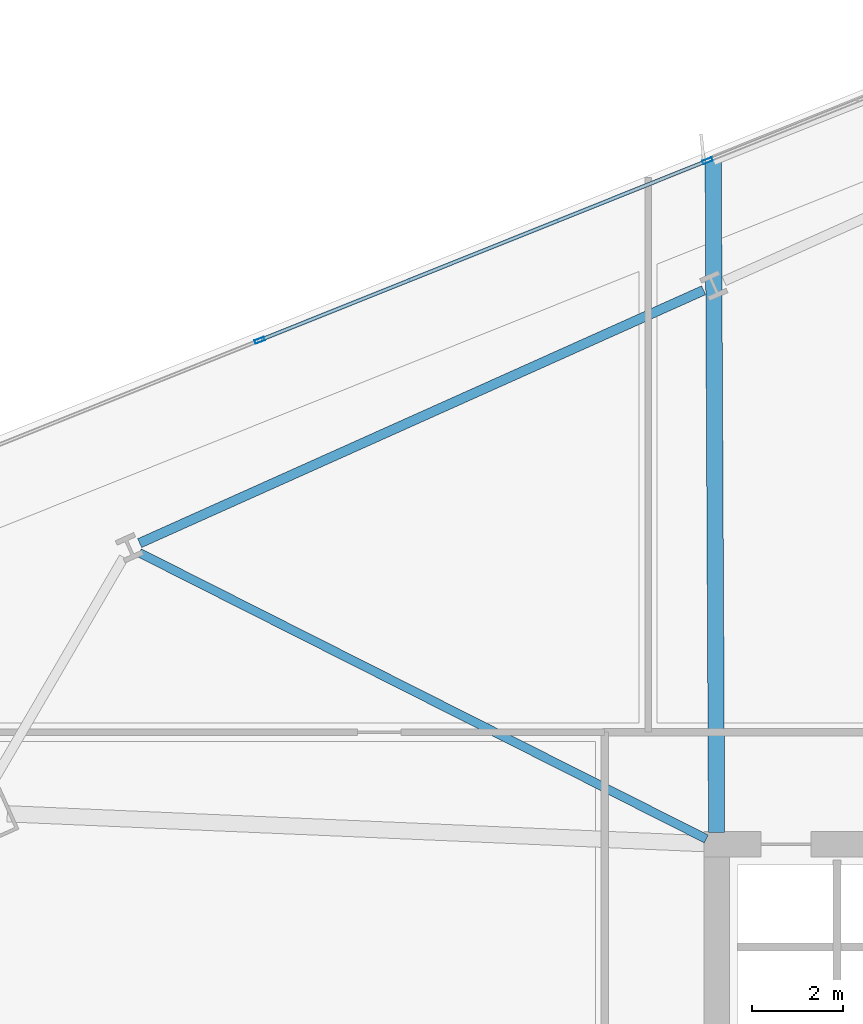
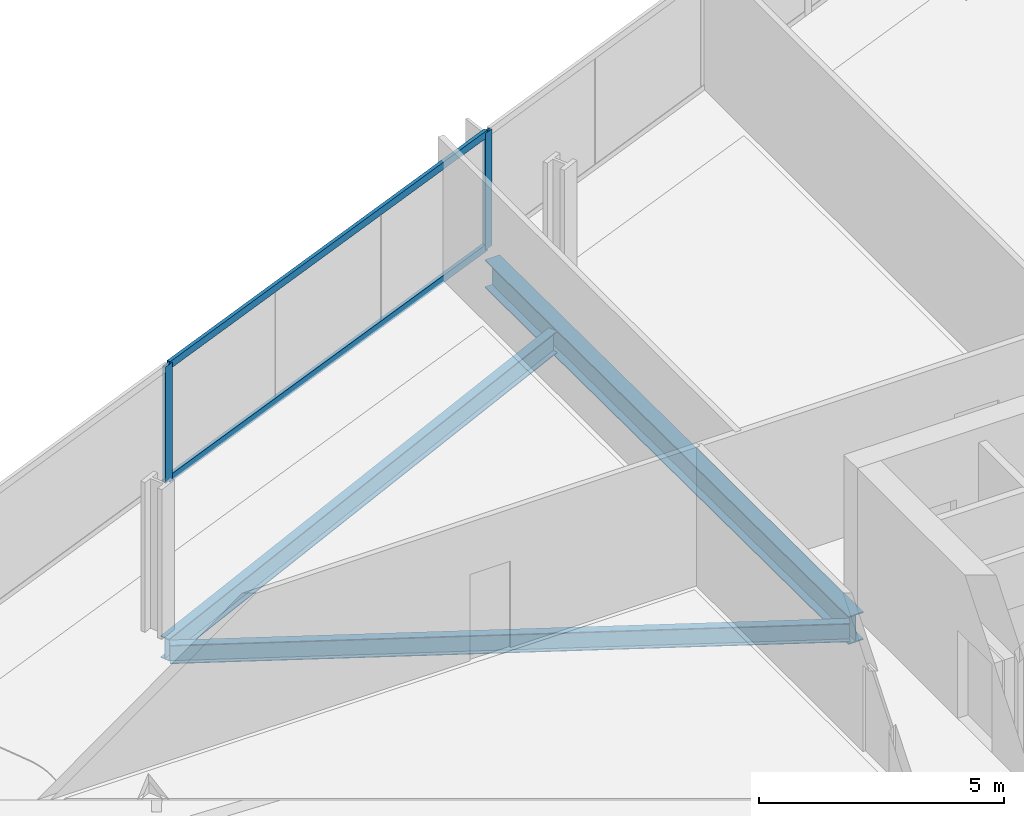
# One storey, part 17 of 33: 4 members, 3 beams, 1 element without a shape of its own.
"""IFC4 building model written with IfcOpenShell, lengths in metres."""

import ifcopenshell
import ifcopenshell.guid

model = None  # the IFC model being written
_history = None  # IfcOwnerHistory: only IFC2X3 demands one
_inside = {}  # id of a spatial element -> (the spatial element, [elements in it])
_under = {}  # id of a project, library or spatial element -> (it, [spatial elements below it])
_declared = {}  # id of a project -> (the project, [libraries it declares])
_typed = {}  # id of a type object -> (the type object, [elements of that type])
_made_of = {}  # id of a material, layer set ... -> (it, [elements and type objects made of it])


def new_model(schema):
    """Start an empty IFC model of exactly this schema.

    Asked for "IFC4X3", IfcOpenShell would pick the latest addendum, in which some entities
    have other attributes; the version numbers below select the first issue.
    IFC2X3 requires an IfcOwnerHistory on every rooted entity: one is made here for all.
    """
    global model, _history
    if schema == "IFC4X3":
        model = ifcopenshell.file(schema_version=(4, 3, 0, 0))
    else:
        model = ifcopenshell.file(schema=schema)
    _inside.clear()
    _under.clear()
    _declared.clear()
    _typed.clear()
    _made_of.clear()
    _history = None
    if model.schema == "IFC2X3":
        org = make("IfcOrganization", Name="unknown")
        user = make(
            "IfcPersonAndOrganization",
            ThePerson=make("IfcPerson", FamilyName="unknown"),
            TheOrganization=org,
        )
        app = make(
            "IfcApplication",
            ApplicationDeveloper=org,
            Version="unknown",
            ApplicationFullName="unknown",
            ApplicationIdentifier="unknown",
        )
        _history = make(
            "IfcOwnerHistory",
            OwningUser=user,
            OwningApplication=app,
            ChangeAction="ADDED",
            CreationDate=0,
        )
    return model


def make(cls, **values):
    """One entity of the class cls with the attributes given. An attribute that is None is left unset."""
    return model.create_entity(
        cls, **{name: value for name, value in values.items() if value is not None}
    )


def rooted(cls, **values):
    """An entity with a GlobalId (a new one), such as an element, a storey or a relation."""
    return make(cls, GlobalId=ifcopenshell.guid.new(), OwnerHistory=_history, **values)


def si_unit(unit_type, name, prefix=None):
    """IfcSIUnit, for example si_unit("LENGTHUNIT", "METRE", prefix="MILLI")."""
    return make("IfcSIUnit", UnitType=unit_type, Prefix=prefix, Name=name)


def assignment(units):
    """IfcUnitAssignment: the units of a project."""
    return None if units is None else make("IfcUnitAssignment", Units=units)


def point(xyz):
    """IfcCartesianPoint."""
    return None if xyz is None else make("IfcCartesianPoint", Coordinates=xyz)


def direction(xyz):
    """IfcDirection."""
    return None if xyz is None else make("IfcDirection", DirectionRatios=xyz)


def frame(location, z_axis=None, x_axis=None):
    """IfcAxis2Placement3D, a coordinate frame: its origin and axes. An axis left out is left unset."""
    return make(
        "IfcAxis2Placement3D",
        Location=point(location),
        Axis=direction(z_axis),
        RefDirection=direction(x_axis),
    )


def frame_2d(location, x_axis=None):
    """IfcAxis2Placement2D, a coordinate frame in the plane: its origin and x axis."""
    return make(
        "IfcAxis2Placement2D", Location=point(location), RefDirection=direction(x_axis)
    )


def origin():
    """The frame at (0, 0, 0) with its axes left unset."""
    return frame((0.0, 0.0, 0.0))


def origin_2d():
    """The frame at (0, 0) in the plane with its x axis left unset."""
    return frame_2d((0.0, 0.0))


def place(relative_to, where):
    """IfcLocalPlacement: puts the frame where relative to a parent placement (None: the world)."""
    return make(
        "IfcLocalPlacement", PlacementRelTo=relative_to, RelativePlacement=where
    )


def context(
    kind, dimensions, precision=None, world=None, true_north=None, identifier=None
):
    """IfcGeometricRepresentationContext, for example the 3D "Model" context."""
    return make(
        "IfcGeometricRepresentationContext",
        ContextIdentifier=identifier,
        ContextType=kind,
        CoordinateSpaceDimension=dimensions,
        Precision=precision,
        WorldCoordinateSystem=world,
        TrueNorth=true_north,
    )


def subcontext(parent, identifier, kind, view, scale=None):
    """IfcGeometricRepresentationSubContext, for example "Body" below "Model"."""
    return make(
        "IfcGeometricRepresentationSubContext",
        ContextIdentifier=identifier,
        ContextType=kind,
        ParentContext=parent,
        TargetScale=scale,
        TargetView=view,
    )


def project(units=None, contexts=None):
    """IfcProject with its units and contexts."""
    return rooted(
        "IfcProject",
        Name="project",
        RepresentationContexts=contexts,
        UnitsInContext=assignment(units),
    )


def spatial(cls, under=None, at=None, **own):
    """A site, building, storey or space (cls), placed at a placement, below another one or the project."""
    s = rooted(cls, ObjectPlacement=at, **own)
    if under is not None:
        _under.setdefault(under.id(), (under, []))[1].append(s)
    return s


def profile(cls, at=None, kind="AREA", **sizes):
    """A parametric profile (cls). Its sizes go by their IFC names, for example OverallWidth=200.0."""
    return make(cls, ProfileType=kind, Position=at, **sizes)


def hollow_rectangle(**sizes):
    """IfcRectangleHollowProfileDef."""
    return profile("IfcRectangleHollowProfileDef", **sizes)


def i_section(**sizes):
    """IfcIShapeProfileDef."""
    return profile("IfcIShapeProfileDef", **sizes)


def extrude(swept, where, along, depth):
    """IfcExtrudedAreaSolid: the profile swept, set in the frame where, extruded along a direction by depth."""
    return make(
        "IfcExtrudedAreaSolid",
        SweptArea=swept,
        Position=where,
        ExtrudedDirection=direction(along),
        Depth=depth,
    )


def shape(context_of_items, identifier, shape_type, items):
    """IfcShapeRepresentation: the items that make up one representation, for example the "Body"."""
    return make(
        "IfcShapeRepresentation",
        ContextOfItems=context_of_items,
        RepresentationIdentifier=identifier,
        RepresentationType=shape_type,
        Items=items,
    )


def material(Name=None, Category=None):
    """IfcMaterial."""
    return make("IfcMaterial", Name=Name, Category=Category)


def material_profile(
    of_material, cross_section, Name=None, Category=None, Priority=None
):
    """IfcMaterialProfile: a cross section and its material."""
    return make(
        "IfcMaterialProfile",
        Name=Name,
        Material=of_material,
        Profile=cross_section,
        Priority=Priority,
        Category=Category,
    )


def profile_set(profiles, Name=None, composite=None):
    """IfcMaterialProfileSet."""
    return make(
        "IfcMaterialProfileSet",
        Name=Name,
        MaterialProfiles=profiles,
        CompositeProfile=composite,
    )


def made_of(thing, what):
    """Note that an element or type object is made of a material, layer set ...; save() writes the relation."""
    if what is not None:
        _made_of.setdefault(what.id(), (what, []))[1].append(thing)
    return thing


def type_object(cls, material=None, **own):
    """A type object (cls), such as IfcWallType, which elements share."""
    return made_of(rooted(cls, **own), material)


def element(
    cls,
    number,
    at=None,
    inside=None,
    cuts=None,
    type_object=None,
    material=None,
    context=None,
    identifier="Body",
    shape_type=None,
    held_by="IfcProductDefinitionShape",
    body=None,
    shapes=None,
    **own,
):
    """One element of the class cls, such as IfcWall. Its Tag is "e" and its number.

    at: its placement. inside: the storey or other place that contains it. cuts: it is an
    opening in that element (IfcRelVoidsElement). A single representation is given by context,
    identifier, shape_type and body (its items); several are given by shapes. held_by: the class
    of the entity that holds the representations. save() writes the other relations.
    """
    e = rooted(cls, Tag="e%d" % number, ObjectPlacement=at, **own)
    if body is not None:
        shapes = [shape(context, identifier, shape_type, body)]
    if shapes is not None:
        e.Representation = make(held_by, Representations=shapes)
    if inside is not None:
        _inside.setdefault(inside.id(), (inside, []))[1].append(e)
    if cuts is not None:
        rooted(
            "IfcRelVoidsElement", RelatingBuildingElement=cuts, RelatedOpeningElement=e
        )
    if type_object is not None:
        _typed.setdefault(type_object.id(), (type_object, []))[1].append(e)
    return made_of(e, material)


def aggregate(whole, parts):
    """IfcRelAggregates: a whole, such as a stair, and the parts it consists of."""
    return rooted("IfcRelAggregates", RelatingObject=whole, RelatedObjects=parts)


def save(model, path):
    """Write the relations noted so far, then the file.

    IfcRelAggregates (storeys below a building ...), IfcRelContainedInSpatialStructure (elements
    in a storey), IfcRelDefinesByType, IfcRelAssociatesMaterial and IfcRelDeclares: one each for
    every whole, place, type object, material and project.
    """
    for whole, parts in _under.values():
        aggregate(whole, parts)
    for where, things in _inside.values():
        rooted(
            "IfcRelContainedInSpatialStructure",
            RelatedElements=things,
            RelatingStructure=where,
        )
    for kind, things in _typed.values():
        rooted("IfcRelDefinesByType", RelatedObjects=things, RelatingType=kind)
    for what, things in _made_of.values():
        rooted("IfcRelAssociatesMaterial", RelatedObjects=things, RelatingMaterial=what)
    for by, libraries in _declared.values():
        rooted("IfcRelDeclares", RelatingContext=by, RelatedDefinitions=libraries)
    model.write(path)


model = new_model("IFC4")

# Units and contexts
model_context = context("Model", 3, precision=1e-05, world=origin(), true_north=direction((0.0, 1.0)))
body_context = subcontext(model_context, "Body", "Model", "MODEL_VIEW")
ifc_project = project(units=[si_unit("LENGTHUNIT", "METRE"), si_unit("AREAUNIT", "SQUARE_METRE"), si_unit("VOLUMEUNIT", "CUBIC_METRE"), si_unit("PLANEANGLEUNIT", "RADIAN"), si_unit("MASSUNIT", "GRAM", prefix="KILO")], contexts=[model_context])

# Site, building, storey
site_placement = place(None, origin())
site = spatial("IfcSite", under=ifc_project, at=site_placement, CompositionType="ELEMENT")
building_placement = place(site_placement, origin())
building = spatial("IfcBuilding", under=site, at=building_placement, Name="Haldenkirk Collegiate Tower", CompositionType="ELEMENT")
storey_placement = place(building_placement, frame((0.0, 0.0, 101.699951171875)))
storey = spatial("IfcBuildingStorey", under=building, at=storey_placement, Name="L24", CompositionType="ELEMENT", Elevation=101.699951171875)

# Beams
ifc_material_1 = material(Name="Steel ASTM A992 Grade 50", Category="steel")
ifc_material_profile_1 = material_profile(ifc_material_1, i_section(OverallWidth=0.35498046875, OverallDepth=0.696044921875, WebThickness=0.015380859375, FlangeThickness=0.02490234375, at=origin_2d()), Name="W27X146")
ifc_profile_set_1 = profile_set([ifc_material_profile_1], Name="Steel ASTM A992 Grade 50")
beam_type_1 = type_object("IfcBeamType", Name="BM-GIRDER-W27X146", PredefinedType="BEAM", material=ifc_profile_set_1)
beam_1_placement = place(storey_placement, frame((26.923828125, 48.95068359375, -0.64794921875), z_axis=(0.005100109766, -0.999986994356, 0.0), x_axis=(0.999986994356, 0.005100109766, 0.0)))
element("IfcBeam", 1, at=beam_1_placement, inside=storey, type_object=beam_type_1, Name="L24 primary floor girder 12", PredefinedType="BEAM", context=body_context, shape_type="SweptSolid", body=[
    extrude(i_section(OverallWidth=0.35498046875, OverallDepth=0.696044921875, WebThickness=0.015380859375, FlangeThickness=0.02490234375, at=origin_2d()), origin(), (0.0, 0.0, 1.0), 14.696044921875),
])
ifc_material_profile_2 = material_profile(ifc_material_1, i_section(OverallWidth=0.19189453125, OverallDepth=0.462890625, WebThickness=0.010498046875, FlangeThickness=0.017578125, at=origin_2d()), Name="W18X60")
ifc_profile_set_2 = profile_set([ifc_material_profile_2], Name="Steel ASTM A992 Grade 50")
beam_type_2 = type_object("IfcBeamType", Name="BM-JOIST-W18X60", PredefinedType="JOIST", material=ifc_profile_set_2)
beam_2_placement = place(storey_placement, frame((14.378662109375, 40.371337890625, -0.531494140625), z_axis=(0.892707841941, -0.450635893974, 0.0), x_axis=(0.450635893974, 0.892707841941, 0.0)))
element("IfcBeam", 2, at=beam_2_placement, inside=storey, type_object=beam_type_2, Name="L24 composite floor joist 13", PredefinedType="JOIST", context=body_context, shape_type="SweptSolid", body=[
    extrude(i_section(OverallWidth=0.19189453125, OverallDepth=0.462890625, WebThickness=0.010498046875, FlangeThickness=0.017578125, at=origin_2d()), origin(), (0.0, 0.0, 1.0), 13.88330078125),
])
ifc_material_profile_3 = material_profile(ifc_material_1, i_section(OverallWidth=0.2119140625, OverallDepth=0.5439453125, WebThickness=0.01318359375, FlangeThickness=0.021240234375, at=origin_2d()), Name="W21X83")
ifc_profile_set_3 = profile_set([ifc_material_profile_3], Name="Steel ASTM A992 Grade 50")
beam_type_3 = type_object("IfcBeamType", Name="BM-SPANDREL-W21X83", PredefinedType="SPANDREL", material=ifc_profile_set_3)
beam_3_placement = place(storey_placement, frame((26.7138671875, 46.111083984375, -0.572021484375), z_axis=(-0.912476765144, -0.409128528793, 0.0), x_axis=(0.409128528793, -0.912476765144, 0.0)))
element("IfcBeam", 3, at=beam_3_placement, inside=storey, type_object=beam_type_3, Name="L24 perimeter spandrel beam 11", PredefinedType="SPANDREL", context=body_context, shape_type="SweptSolid", body=[
    extrude(i_section(OverallWidth=0.2119140625, OverallDepth=0.5439453125, WebThickness=0.01318359375, FlangeThickness=0.021240234375, at=origin_2d()), origin(), (0.0, 0.0, 1.0), 13.512939453125),
])

# Curtain wall, members
ifc_material_2 = material(Name="Anodised architectural bronze aluminium", Category="aluminium")
curtain_wall_type = type_object("IfcCurtainWallType", Name="CW-SYS1-CONVEX-LOW", PredefinedType="USERDEFINED", material=ifc_material_2)
curtain_wall_placement = place(storey_placement, origin())
curtain_wall = element("IfcCurtainWall", 4, at=curtain_wall_placement, inside=storey, type_object=curtain_wall_type, Name="L24 Lower tower convex bronze-framed unitised curtain wall", ObjectType="UNITISED CURTAIN WALL", PredefinedType="USERDEFINED")
ifc_material_profile_4 = material_profile(ifc_material_2, hollow_rectangle(XDim=0.080078125, YDim=0.219970703125, WallThickness=0.0048828125, at=origin_2d()), Name="CW-MUL-1A")
ifc_profile_set_4 = profile_set([ifc_material_profile_4], Name="Anodised architectural bronze aluminium")
member_type_1 = type_object("IfcMemberType", Name="CW-MUL-1A", PredefinedType="MULLION", material=ifc_profile_set_4)
member_1_placement = place(storey_placement, frame((17.007568359375, 45.017578125, 0.0), z_axis=(0.0, 0.0, 1.0), x_axis=(-0.372174984928, 0.928162583061, 0.0)))
member_1 = element("IfcMember", 5, at=member_1_placement, type_object=member_type_1, Name="CW-1A mullion 2", PredefinedType="MULLION", context=body_context, shape_type="SweptSolid", body=[
    extrude(hollow_rectangle(XDim=0.080078125, YDim=0.219970703125, WallThickness=0.0048828125, at=origin_2d()), origin(), (0.0, 0.0, 1.0), 2.901123046875),
])
member_2_placement = place(storey_placement, frame((26.7998046875, 48.944091796875, 0.0), z_axis=(0.0, 0.0, 1.0), x_axis=(-0.372174984928, 0.928162583061, 0.0)))
member_2 = element("IfcMember", 6, at=member_2_placement, type_object=member_type_1, Name="CW-1A mullion 3", PredefinedType="MULLION", context=body_context, shape_type="SweptSolid", body=[
    extrude(hollow_rectangle(XDim=0.080078125, YDim=0.219970703125, WallThickness=0.0048828125, at=origin_2d()), origin(), (0.0, 0.0, 1.0), 2.901123046875),
])
ifc_material_profile_5 = material_profile(ifc_material_2, hollow_rectangle(XDim=0.080078125, YDim=0.179931640625, WallThickness=0.0048828125, at=origin_2d()), Name="CW-TRN-1A")
ifc_profile_set_5 = profile_set([ifc_material_profile_5], Name="Anodised architectural bronze aluminium")
member_type_2 = type_object("IfcMemberType", Name="CW-TRN-1A", PredefinedType="USERDEFINED", material=ifc_profile_set_5)
member_3_placement = place(storey_placement, frame((17.044677734375, 45.032470703125, 0.0400390625), z_axis=(0.928162776472, 0.372174502582, 0.0), x_axis=(-0.372174502582, 0.928162776472, 0.0)))
member_3 = element("IfcMember", 7, at=member_3_placement, type_object=member_type_2, Name="CW-1A transom 2.1", ObjectType="TRANSOM", PredefinedType="USERDEFINED", context=body_context, shape_type="SweptSolid", body=[
    extrude(hollow_rectangle(XDim=0.080078125, YDim=0.179931640625, WallThickness=0.0048828125, at=origin_2d()), origin(), (0.0, 0.0, 1.0), 10.47021484375),
])
member_4_placement = place(storey_placement, frame((17.044677734375, 45.032470703125, 2.861083984375), z_axis=(0.928162776472, 0.372174502582, 0.0), x_axis=(-0.372174502582, 0.928162776472, 0.0)))
member_4 = element("IfcMember", 8, at=member_4_placement, type_object=member_type_2, Name="CW-1A transom 2.2", ObjectType="TRANSOM", PredefinedType="USERDEFINED", context=body_context, shape_type="SweptSolid", body=[
    extrude(hollow_rectangle(XDim=0.080078125, YDim=0.179931640625, WallThickness=0.0048828125, at=origin_2d()), origin(), (0.0, 0.0, 1.0), 10.47021484375),
])
aggregate(curtain_wall, [member_1, member_2, member_3, member_4])

save(model, "model.ifc")
